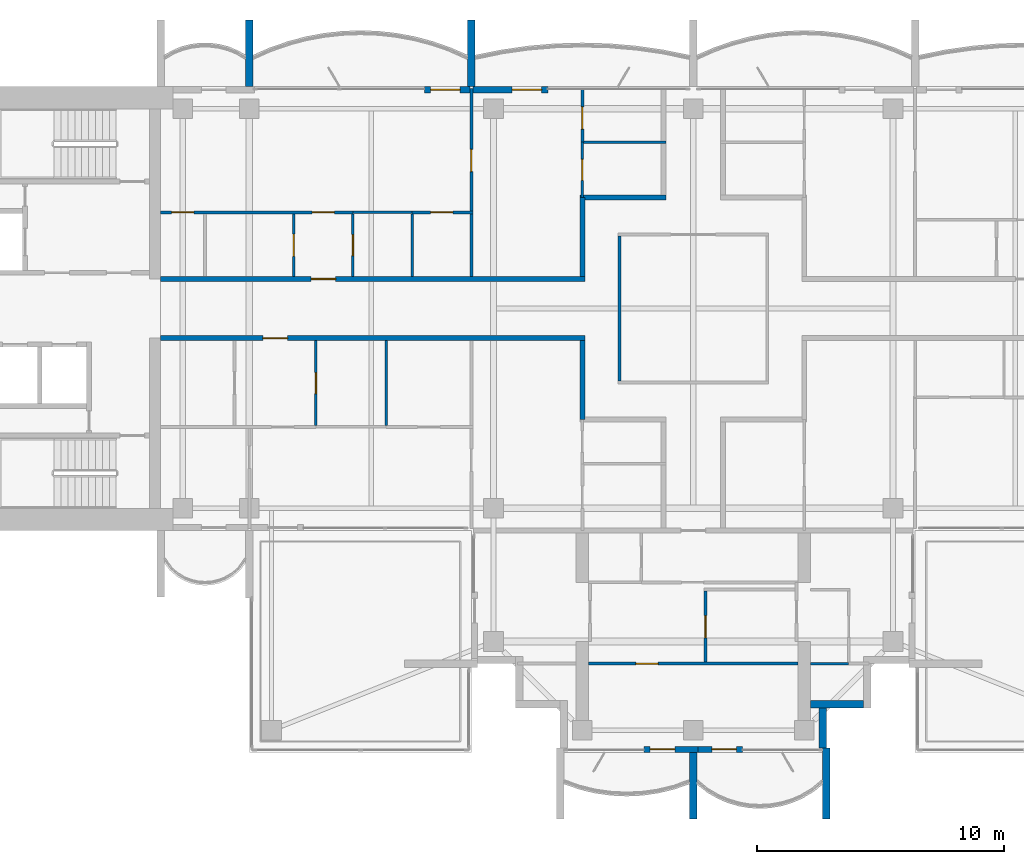
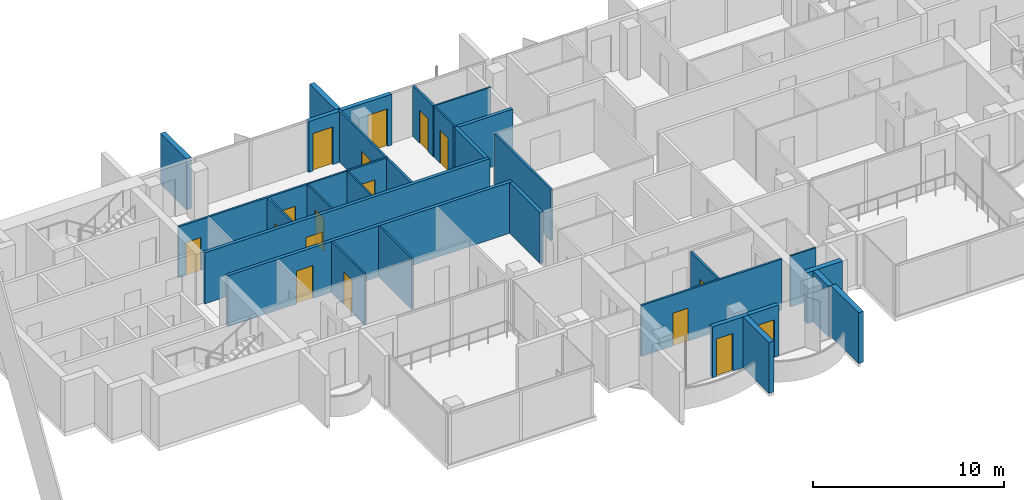
# One storey, part 8 of 16: 31 walls, 17 doors, 17 openings.
"""IFC4 building model written with IfcOpenShell, lengths in metres."""

import ifcopenshell
import ifcopenshell.guid

model = None  # the IFC model being written
_history = None  # IfcOwnerHistory: only IFC2X3 demands one
_inside = {}  # id of a spatial element -> (the spatial element, [elements in it])
_under = {}  # id of a project, library or spatial element -> (it, [spatial elements below it])
_declared = {}  # id of a project -> (the project, [libraries it declares])
_typed = {}  # id of a type object -> (the type object, [elements of that type])
_made_of = {}  # id of a material, layer set ... -> (it, [elements and type objects made of it])


def new_model(schema):
    """Start an empty IFC model of exactly this schema.

    Asked for "IFC4X3", IfcOpenShell would pick the latest addendum, in which some entities
    have other attributes; the version numbers below select the first issue.
    IFC2X3 requires an IfcOwnerHistory on every rooted entity: one is made here for all.
    """
    global model, _history
    if schema == "IFC4X3":
        model = ifcopenshell.file(schema_version=(4, 3, 0, 0))
    else:
        model = ifcopenshell.file(schema=schema)
    _inside.clear()
    _under.clear()
    _declared.clear()
    _typed.clear()
    _made_of.clear()
    _history = None
    if model.schema == "IFC2X3":
        org = make("IfcOrganization", Name="unknown")
        user = make(
            "IfcPersonAndOrganization",
            ThePerson=make("IfcPerson", FamilyName="unknown"),
            TheOrganization=org,
        )
        app = make(
            "IfcApplication",
            ApplicationDeveloper=org,
            Version="unknown",
            ApplicationFullName="unknown",
            ApplicationIdentifier="unknown",
        )
        _history = make(
            "IfcOwnerHistory",
            OwningUser=user,
            OwningApplication=app,
            ChangeAction="ADDED",
            CreationDate=0,
        )
    return model


def make(cls, **values):
    """One entity of the class cls with the attributes given. An attribute that is None is left unset."""
    return model.create_entity(
        cls, **{name: value for name, value in values.items() if value is not None}
    )


def rooted(cls, **values):
    """An entity with a GlobalId (a new one), such as an element, a storey or a relation."""
    return make(cls, GlobalId=ifcopenshell.guid.new(), OwnerHistory=_history, **values)


def si_unit(unit_type, name, prefix=None):
    """IfcSIUnit, for example si_unit("LENGTHUNIT", "METRE", prefix="MILLI")."""
    return make("IfcSIUnit", UnitType=unit_type, Prefix=prefix, Name=name)


def assignment(units):
    """IfcUnitAssignment: the units of a project."""
    return None if units is None else make("IfcUnitAssignment", Units=units)


def point(xyz):
    """IfcCartesianPoint."""
    return None if xyz is None else make("IfcCartesianPoint", Coordinates=xyz)


def direction(xyz):
    """IfcDirection."""
    return None if xyz is None else make("IfcDirection", DirectionRatios=xyz)


def frame(location, z_axis=None, x_axis=None):
    """IfcAxis2Placement3D, a coordinate frame: its origin and axes. An axis left out is left unset."""
    return make(
        "IfcAxis2Placement3D",
        Location=point(location),
        Axis=direction(z_axis),
        RefDirection=direction(x_axis),
    )


def frame_2d(location, x_axis=None):
    """IfcAxis2Placement2D, a coordinate frame in the plane: its origin and x axis."""
    return make(
        "IfcAxis2Placement2D", Location=point(location), RefDirection=direction(x_axis)
    )


def origin():
    """The frame at (0, 0, 0) with its axes left unset."""
    return frame((0.0, 0.0, 0.0))


def place(relative_to, where):
    """IfcLocalPlacement: puts the frame where relative to a parent placement (None: the world)."""
    return make(
        "IfcLocalPlacement", PlacementRelTo=relative_to, RelativePlacement=where
    )


def context(
    kind, dimensions, precision=None, world=None, true_north=None, identifier=None
):
    """IfcGeometricRepresentationContext, for example the 3D "Model" context."""
    return make(
        "IfcGeometricRepresentationContext",
        ContextIdentifier=identifier,
        ContextType=kind,
        CoordinateSpaceDimension=dimensions,
        Precision=precision,
        WorldCoordinateSystem=world,
        TrueNorth=true_north,
    )


def subcontext(parent, identifier, kind, view, scale=None):
    """IfcGeometricRepresentationSubContext, for example "Body" below "Model"."""
    return make(
        "IfcGeometricRepresentationSubContext",
        ContextIdentifier=identifier,
        ContextType=kind,
        ParentContext=parent,
        TargetScale=scale,
        TargetView=view,
    )


def project(units=None, contexts=None):
    """IfcProject with its units and contexts."""
    return rooted(
        "IfcProject",
        Name="project",
        RepresentationContexts=contexts,
        UnitsInContext=assignment(units),
    )


def spatial(cls, under=None, at=None, **own):
    """A site, building, storey or space (cls), placed at a placement, below another one or the project."""
    s = rooted(cls, ObjectPlacement=at, **own)
    if under is not None:
        _under.setdefault(under.id(), (under, []))[1].append(s)
    return s


def profile(cls, at=None, kind="AREA", **sizes):
    """A parametric profile (cls). Its sizes go by their IFC names, for example OverallWidth=200.0."""
    return make(cls, ProfileType=kind, Position=at, **sizes)


def rectangle(**sizes):
    """IfcRectangleProfileDef."""
    return profile("IfcRectangleProfileDef", **sizes)


def extrude(swept, where, along, depth):
    """IfcExtrudedAreaSolid: the profile swept, set in the frame where, extruded along a direction by depth."""
    return make(
        "IfcExtrudedAreaSolid",
        SweptArea=swept,
        Position=where,
        ExtrudedDirection=direction(along),
        Depth=depth,
    )


def shape(context_of_items, identifier, shape_type, items):
    """IfcShapeRepresentation: the items that make up one representation, for example the "Body"."""
    return make(
        "IfcShapeRepresentation",
        ContextOfItems=context_of_items,
        RepresentationIdentifier=identifier,
        RepresentationType=shape_type,
        Items=items,
    )


def material(Name=None, Category=None):
    """IfcMaterial."""
    return make("IfcMaterial", Name=Name, Category=Category)


def layer(
    of_material, thickness, ventilated=None, Name=None, Category=None, Priority=None
):
    """IfcMaterialLayer: one layer of a wall or slab, of a material (None: an air gap)."""
    return make(
        "IfcMaterialLayer",
        Material=of_material,
        LayerThickness=thickness,
        IsVentilated=ventilated,
        Name=Name,
        Category=Category,
        Priority=Priority,
    )


def layer_set(layers, Name=None):
    """IfcMaterialLayerSet."""
    return make("IfcMaterialLayerSet", MaterialLayers=layers, LayerSetName=Name)


def made_of(thing, what):
    """Note that an element or type object is made of a material, layer set ...; save() writes the relation."""
    if what is not None:
        _made_of.setdefault(what.id(), (what, []))[1].append(thing)
    return thing


def type_object(cls, material=None, **own):
    """A type object (cls), such as IfcWallType, which elements share."""
    return made_of(rooted(cls, **own), material)


def element(
    cls,
    number,
    at=None,
    inside=None,
    cuts=None,
    type_object=None,
    material=None,
    context=None,
    identifier="Body",
    shape_type=None,
    held_by="IfcProductDefinitionShape",
    body=None,
    shapes=None,
    **own,
):
    """One element of the class cls, such as IfcWall. Its Tag is "e" and its number.

    at: its placement. inside: the storey or other place that contains it. cuts: it is an
    opening in that element (IfcRelVoidsElement). A single representation is given by context,
    identifier, shape_type and body (its items); several are given by shapes. held_by: the class
    of the entity that holds the representations. save() writes the other relations.
    """
    e = rooted(cls, Tag="e%d" % number, ObjectPlacement=at, **own)
    if body is not None:
        shapes = [shape(context, identifier, shape_type, body)]
    if shapes is not None:
        e.Representation = make(held_by, Representations=shapes)
    if inside is not None:
        _inside.setdefault(inside.id(), (inside, []))[1].append(e)
    if cuts is not None:
        rooted(
            "IfcRelVoidsElement", RelatingBuildingElement=cuts, RelatedOpeningElement=e
        )
    if type_object is not None:
        _typed.setdefault(type_object.id(), (type_object, []))[1].append(e)
    return made_of(e, material)


def fill(opening, filler):
    """IfcRelFillsElement: the door or window that sits in an opening."""
    return rooted(
        "IfcRelFillsElement",
        RelatingOpeningElement=opening,
        RelatedBuildingElement=filler,
    )


def aggregate(whole, parts):
    """IfcRelAggregates: a whole, such as a stair, and the parts it consists of."""
    return rooted("IfcRelAggregates", RelatingObject=whole, RelatedObjects=parts)


def save(model, path):
    """Write the relations noted so far, then the file.

    IfcRelAggregates (storeys below a building ...), IfcRelContainedInSpatialStructure (elements
    in a storey), IfcRelDefinesByType, IfcRelAssociatesMaterial and IfcRelDeclares: one each for
    every whole, place, type object, material and project.
    """
    for whole, parts in _under.values():
        aggregate(whole, parts)
    for where, things in _inside.values():
        rooted(
            "IfcRelContainedInSpatialStructure",
            RelatedElements=things,
            RelatingStructure=where,
        )
    for kind, things in _typed.values():
        rooted("IfcRelDefinesByType", RelatedObjects=things, RelatingType=kind)
    for what, things in _made_of.values():
        rooted("IfcRelAssociatesMaterial", RelatedObjects=things, RelatingMaterial=what)
    for by, libraries in _declared.values():
        rooted("IfcRelDeclares", RelatingContext=by, RelatedDefinitions=libraries)
    model.write(path)


model = new_model("IFC4")

# Units and contexts
model_context = context("Model", 3, precision=1e-05, world=origin(), true_north=direction((0.0, 1.0)))
body_context = subcontext(model_context, "Body", "Model", "MODEL_VIEW")
ifc_project = project(units=[si_unit("LENGTHUNIT", "METRE"), si_unit("AREAUNIT", "SQUARE_METRE"), si_unit("VOLUMEUNIT", "CUBIC_METRE"), si_unit("PLANEANGLEUNIT", "RADIAN"), si_unit("MASSUNIT", "GRAM", prefix="KILO")], contexts=[model_context])

# Site, building, storey
site_placement = place(None, origin())
site = spatial("IfcSite", under=ifc_project, at=site_placement, CompositionType="ELEMENT")
building_placement = place(site_placement, origin())
building = spatial("IfcBuilding", under=site, at=building_placement, Name="Perihelion Cross Residences", CompositionType="ELEMENT")
storey_placement = place(building_placement, frame((0.0, 0.0, 253.5)))
storey = spatial("IfcBuildingStorey", under=building, at=storey_placement, Name="L64", CompositionType="ELEMENT", Elevation=253.5)

# Wall, opening, door
ifc_material_1 = material(Name="Plasterboard partition")
ifc_layer_1 = layer(ifc_material_1, 0.199951171875)
ifc_layer_set_1 = layer_set([ifc_layer_1], Name="Apartment separation wall 200")
wall_type_1 = type_object("IfcWallType", Name="Apartment separation wall 200", PredefinedType="PARTITIONING", material=ifc_layer_set_1)
wall_1_placement = place(storey_placement, frame((-21.60009765625, 1.199951171875, 0.0), z_axis=(0.0, 0.0, 1.0), x_axis=(1.0, 0.0, 0.0)))
wall_1 = element("IfcWall", 1, at=wall_1_placement, inside=storey, type_object=wall_type_1, Name="Partition L64 W013", PredefinedType="PARTITIONING", context=body_context, shape_type="SweptSolid", body=[
    extrude(rectangle(XDim=17.2001953125, YDim=0.199951171875, at=frame_2d((8.60009765625, 0.0))), origin(), (0.0, 0.0, 1.0), 3.25),
])
opening_1_placement = place(wall_1_placement, frame((6.10009765625, 0.0, 0.0)))
opening_1 = element("IfcOpeningElement", 2, at=opening_1_placement, cuts=wall_1, Name="Opening L64.A42", PredefinedType="OPENING", context=body_context, shape_type="SweptSolid", body=[
    extrude(rectangle(XDim=1.0, YDim=2.10009765625, at=frame_2d((0.5, 1.050048828125))), frame((0.0, 0.10986328125, 0.0), z_axis=(0.0, -1.0, 0.0), x_axis=(1.0, 0.0, 0.0)), (0.0, 0.0, 1.0), 0.219970703125),
])
ifc_material_2 = material(Name="Timber door leaf", Category="wood")
door_type_1 = type_object("IfcDoorType", Name="Flat entrance door 1000 x 2100", OperationType="SINGLE_SWING_LEFT", PredefinedType="DOOR", material=ifc_material_2)
door_1_placement = place(opening_1_placement, origin())
door_1 = element("IfcDoor", 3, at=door_1_placement, inside=storey, type_object=door_type_1, Name="Door L64.A42", OperationType="SINGLE_SWING_RIGHT", OverallHeight=2.10009765625, OverallWidth=1.0, PredefinedType="DOOR", context=body_context, shape_type="SweptSolid", body=[
    extrude(rectangle(XDim=1.0, YDim=2.10009765625, at=frame_2d((0.5, 1.050048828125))), frame((0.0, 0.02490234375, 0.0), z_axis=(0.0, -1.0, 0.0), x_axis=(1.0, 0.0, 0.0)), (0.0, 0.0, 1.0), 0.050048828125),
])
fill(opening_1, door_1)

# Walls
wall_2_placement = place(storey_placement, frame((-4.5, 1.300048828125, 0.0), z_axis=(0.0, 0.0, 1.0), x_axis=(0.0, 1.0, 0.0)))
element("IfcWall", 4, at=wall_2_placement, inside=storey, type_object=wall_type_1, Name="Partition L64 W014", PredefinedType="PARTITIONING", context=body_context, shape_type="SweptSolid", body=[
    extrude(rectangle(XDim=3.199951171875, YDim=0.199951171875, at=frame_2d((1.60009765625, 0.0))), origin(), (0.0, 0.0, 1.0), 3.25),
])
wall_3_placement = place(storey_placement, frame((-4.60009765625, 4.5, 0.0), z_axis=(0.0, 0.0, 1.0), x_axis=(1.0, 0.0, 0.0)))
element("IfcWall", 5, at=wall_3_placement, inside=storey, type_object=wall_type_1, Name="Partition L64 W015", PredefinedType="PARTITIONING", context=body_context, shape_type="SweptSolid", body=[
    extrude(rectangle(XDim=3.5, YDim=0.199951171875, at=frame_2d((1.75, 0.0))), origin(), (0.0, 0.0, 1.0), 3.25),
])

# Wall, opening, door
wall_4_placement = place(storey_placement, frame((-4.39990234375, -1.199951171875, 0.0), z_axis=(0.0, 0.0, 1.0), x_axis=(-1.0, 0.0, 0.0)))
wall_4 = element("IfcWall", 6, at=wall_4_placement, inside=storey, type_object=wall_type_1, Name="Partition L64 W017", PredefinedType="PARTITIONING", context=body_context, shape_type="SweptSolid", body=[
    extrude(rectangle(XDim=17.2001953125, YDim=0.199951171875, at=frame_2d((8.60009765625, 0.0))), origin(), (0.0, 0.0, 1.0), 3.25),
])
opening_2_placement = place(wall_4_placement, frame((12.050048828125, 0.0, 0.0)))
opening_2 = element("IfcOpeningElement", 7, at=opening_2_placement, cuts=wall_4, Name="Opening L64.A43", PredefinedType="OPENING", context=body_context, shape_type="SweptSolid", body=[
    extrude(rectangle(XDim=1.0, YDim=2.10009765625, at=frame_2d((0.5, 1.050048828125))), frame((0.0, 0.10986328125, 0.0), z_axis=(0.0, -1.0, 0.0), x_axis=(1.0, 0.0, 0.0)), (0.0, 0.0, 1.0), 0.219970703125),
])
door_2_placement = place(opening_2_placement, origin())
door_2 = element("IfcDoor", 8, at=door_2_placement, inside=storey, type_object=door_type_1, Name="Door L64.A43", OperationType="SINGLE_SWING_RIGHT", OverallHeight=2.10009765625, OverallWidth=1.0, PredefinedType="DOOR", context=body_context, shape_type="SweptSolid", body=[
    extrude(rectangle(XDim=1.0, YDim=2.10009765625, at=frame_2d((0.5, 1.050048828125))), frame((0.0, 0.02490234375, 0.0), z_axis=(0.0, -1.0, 0.0), x_axis=(1.0, 0.0, 0.0)), (0.0, 0.0, 1.0), 0.050048828125),
])
fill(opening_2, door_2)

# Wall
wall_5_placement = place(storey_placement, frame((-4.5, -4.5, 0.0), z_axis=(0.0, 0.0, 1.0), x_axis=(0.0, 1.0, 0.0)))
element("IfcWall", 9, at=wall_5_placement, inside=storey, type_object=wall_type_1, Name="Partition L64 W018", PredefinedType="PARTITIONING", context=body_context, shape_type="SweptSolid", body=[
    extrude(rectangle(XDim=3.199951171875, YDim=0.199951171875, at=frame_2d((1.60009765625, 0.0))), origin(), (0.0, 0.0, 1.0), 3.25),
])

# Wall, opening, door
ifc_material_3 = material(Name="Concrete C30/37, bronze-clad", Category="concrete")
ifc_layer_2 = layer(ifc_material_3, 0.25)
ifc_layer_set_2 = layer_set([ifc_layer_2], Name="Bronze-clad pier wall 250")
wall_type_2 = type_object("IfcWallType", Name="Bronze-clad pier wall 250", PredefinedType="SOLIDWALL", material=ifc_layer_set_2)
wall_6_placement = place(storey_placement, frame((-5.89990234375, 8.875, 0.0), z_axis=(0.0, 0.0, 1.0), x_axis=(-1.0, 0.0, 0.0)))
wall_6 = element("IfcWall", 10, at=wall_6_placement, inside=storey, type_object=wall_type_2, Name="Wall FW1 L64 north side east bay 2 pier", PredefinedType="SOLIDWALL", context=body_context, shape_type="SweptSolid", body=[
    extrude(rectangle(XDim=3.0400390625, YDim=0.25, at=frame_2d((1.52001953125, 0.0))), origin(), (0.0, 0.0, 1.0), 3.25),
])
opening_3_placement = place(wall_6_placement, frame((0.25, 0.0, 0.0)))
opening_3 = element("IfcOpeningElement", 11, at=opening_3_placement, cuts=wall_6, Name="Opening L64.E04", PredefinedType="OPENING", context=body_context, shape_type="SweptSolid", body=[
    extrude(rectangle(XDim=1.199951171875, YDim=2.39990234375, at=frame_2d((0.60009765625, 1.199951171875))), frame((0.0, 0.135009765625, 0.0), z_axis=(0.0, -1.0, 0.0), x_axis=(1.0, 0.0, 0.0)), (0.0, 0.0, 1.0), 0.27001953125),
])
ifc_material_4 = material(Name="Bronze anodised aluminium, glazed", Category="aluminium")
door_type_2 = type_object("IfcDoorType", Name="Balcony door 1200 x 2400", OperationType="NOTDEFINED", PredefinedType="DOOR", material=ifc_material_4)
door_3_placement = place(opening_3_placement, origin())
door_3 = element("IfcDoor", 12, at=door_3_placement, inside=storey, type_object=door_type_2, Name="Door L64.E04 north side east bay 2", OperationType="SINGLE_SWING_RIGHT", OverallHeight=2.39990234375, OverallWidth=1.199951171875, PredefinedType="DOOR", context=body_context, shape_type="SweptSolid", body=[
    extrude(rectangle(XDim=1.199951171875, YDim=2.39990234375, at=frame_2d((0.60009765625, 1.199951171875))), frame((0.0, 0.02490234375, 0.0), z_axis=(0.0, -1.0, 0.0), x_axis=(1.0, 0.0, 0.0)), (0.0, 0.0, 1.0), 0.050048828125),
])
fill(opening_3, door_3)

wall_7_placement = place(storey_placement, frame((-9.06005859375, 8.875, 0.0), z_axis=(0.0, 0.0, 1.0), x_axis=(-1.0, 0.0, 0.0)))
wall_7 = element("IfcWall", 13, at=wall_7_placement, inside=storey, type_object=wall_type_2, Name="Wall FW1 L64 west side north bay 1 pier", PredefinedType="SOLIDWALL", context=body_context, shape_type="SweptSolid", body=[
    extrude(rectangle(XDim=1.83984375, YDim=0.25, at=frame_2d((0.919921875, 0.0))), origin(), (0.0, 0.0, 1.0), 3.25),
])
opening_4_placement = place(wall_7_placement, frame((0.389892578125, 0.0, 0.0)))
opening_4 = element("IfcOpeningElement", 14, at=opening_4_placement, cuts=wall_7, Name="Opening L64.E05", PredefinedType="OPENING", context=body_context, shape_type="SweptSolid", body=[
    extrude(rectangle(XDim=1.199951171875, YDim=2.39990234375, at=frame_2d((0.60009765625, 1.199951171875))), frame((0.0, 0.135009765625, 0.0), z_axis=(0.0, -1.0, 0.0), x_axis=(1.0, 0.0, 0.0)), (0.0, 0.0, 1.0), 0.27001953125),
])
door_4_placement = place(opening_4_placement, origin())
door_4 = element("IfcDoor", 15, at=door_4_placement, inside=storey, type_object=door_type_2, Name="Door L64.E05 west side north bay 1", OperationType="SINGLE_SWING_LEFT", OverallHeight=2.39990234375, OverallWidth=1.199951171875, PredefinedType="DOOR", context=body_context, shape_type="SweptSolid", body=[
    extrude(rectangle(XDim=1.199951171875, YDim=2.39990234375, at=frame_2d((0.60009765625, 1.199951171875))), frame((0.0, 0.02490234375, 0.0), z_axis=(0.0, -1.0, 0.0), x_axis=(1.0, 0.0, 0.0)), (0.0, 0.0, 1.0), 0.050048828125),
])
fill(opening_4, door_4)

wall_8_placement = place(storey_placement, frame((-2.0, -17.875, 0.0), z_axis=(0.0, 0.0, 1.0), x_axis=(1.0, 0.0, 0.0)))
wall_8 = element("IfcWall", 16, at=wall_8_placement, inside=storey, type_object=wall_type_2, Name="Wall FW1 L64 south tip south bay 1 pier", PredefinedType="SOLIDWALL", context=body_context, shape_type="SweptSolid", body=[
    extrude(rectangle(XDim=2.199951171875, YDim=0.25, at=frame_2d((1.10009765625, 0.0))), origin(), (0.0, 0.0, 1.0), 3.25),
])
opening_5_placement = place(wall_8_placement, frame((0.25, 0.0, 0.0)))
opening_5 = element("IfcOpeningElement", 17, at=opening_5_placement, cuts=wall_8, Name="Opening L64.E10", PredefinedType="OPENING", context=body_context, shape_type="SweptSolid", body=[
    extrude(rectangle(XDim=1.0, YDim=2.39990234375, at=frame_2d((0.5, 1.199951171875))), frame((0.0, 0.135009765625, 0.0), z_axis=(0.0, -1.0, 0.0), x_axis=(1.0, 0.0, 0.0)), (0.0, 0.0, 1.0), 0.27001953125),
])
ifc_material_5 = material(Name="Bronze anodised aluminium, glazed", Category="aluminium")
door_type_3 = type_object("IfcDoorType", Name="Balcony door 1000 x 2400", OperationType="NOTDEFINED", PredefinedType="DOOR", material=ifc_material_5)
door_5_placement = place(opening_5_placement, origin())
door_5 = element("IfcDoor", 18, at=door_5_placement, inside=storey, type_object=door_type_3, Name="Door L64.E10 south tip south bay 1", OperationType="SINGLE_SWING_RIGHT", OverallHeight=2.39990234375, OverallWidth=1.0, PredefinedType="DOOR", context=body_context, shape_type="SweptSolid", body=[
    extrude(rectangle(XDim=1.0, YDim=2.39990234375, at=frame_2d((0.5, 1.199951171875))), frame((0.0, 0.02490234375, 0.0), z_axis=(0.0, -1.0, 0.0), x_axis=(1.0, 0.0, 0.0)), (0.0, 0.0, 1.0), 0.050048828125),
])
fill(opening_5, door_5)

wall_9_placement = place(storey_placement, frame((0.199951171875, -17.875, 0.0), z_axis=(0.0, 0.0, 1.0), x_axis=(1.0, 0.0, 0.0)))
wall_9 = element("IfcWall", 19, at=wall_9_placement, inside=storey, type_object=wall_type_2, Name="Wall FW1 L64 south tip south bay 2 pier", PredefinedType="SOLIDWALL", context=body_context, shape_type="SweptSolid", body=[
    extrude(rectangle(XDim=1.800048828125, YDim=0.25, at=frame_2d((0.89990234375, 0.0))), origin(), (0.0, 0.0, 1.0), 3.25),
])
opening_6_placement = place(wall_9_placement, frame((0.550048828125, 0.0, 0.0)))
opening_6 = element("IfcOpeningElement", 20, at=opening_6_placement, cuts=wall_9, Name="Opening L64.E11", PredefinedType="OPENING", context=body_context, shape_type="SweptSolid", body=[
    extrude(rectangle(XDim=1.0, YDim=2.39990234375, at=frame_2d((0.5, 1.199951171875))), frame((0.0, 0.135009765625, 0.0), z_axis=(0.0, -1.0, 0.0), x_axis=(1.0, 0.0, 0.0)), (0.0, 0.0, 1.0), 0.27001953125),
])
door_6_placement = place(opening_6_placement, origin())
door_6 = element("IfcDoor", 21, at=door_6_placement, inside=storey, type_object=door_type_3, Name="Door L64.E11 south tip south bay 2", OperationType="SINGLE_SWING_LEFT", OverallHeight=2.39990234375, OverallWidth=1.0, PredefinedType="DOOR", context=body_context, shape_type="SweptSolid", body=[
    extrude(rectangle(XDim=1.0, YDim=2.39990234375, at=frame_2d((0.5, 1.199951171875))), frame((0.0, 0.02490234375, 0.0), z_axis=(0.0, -1.0, 0.0), x_axis=(1.0, 0.0, 0.0)), (0.0, 0.0, 1.0), 0.050048828125),
])
fill(opening_6, door_6)

# Walls
ifc_material_6 = material(Name="Concrete C30/37, bronze-clad", Category="concrete")
ifc_layer_3 = layer(ifc_material_6, 0.300048828125)
ifc_layer_set_3 = layer_set([ifc_layer_3], Name="Bronze-clad serration wall 300")
wall_type_3 = type_object("IfcWallType", Name="Bronze-clad serration wall 300", PredefinedType="SOLIDWALL", material=ifc_layer_set_3)
wall_10_placement = place(storey_placement, frame((5.25, -17.820068359375, 0.0), z_axis=(0.0, 0.0, 1.0), x_axis=(0.0, 1.0, 0.0)))
element("IfcWall", 22, at=wall_10_placement, inside=storey, type_object=wall_type_3, Name="Wall SR1 L64 south corner south-east 1", PredefinedType="SOLIDWALL", context=body_context, shape_type="SweptSolid", body=[
    extrude(rectangle(XDim=1.6201171875, YDim=0.300048828125, at=frame_2d((0.81005859375, 0.0))), origin(), (0.0, 0.0, 1.0), 3.25),
])
wall_11_placement = place(storey_placement, frame((4.75, -16.050048828125, 0.0), z_axis=(0.0, 0.0, 1.0), x_axis=(1.0, 0.0, 0.0)))
element("IfcWall", 23, at=wall_11_placement, inside=storey, type_object=wall_type_3, Name="Wall SR1 L64 south corner south-east 2", PredefinedType="SOLIDWALL", context=body_context, shape_type="SweptSolid", body=[
    extrude(rectangle(XDim=2.14990234375, YDim=0.300048828125, at=frame_2d((1.074951171875, 0.0))), origin(), (0.0, 0.0, 1.0), 3.25),
])
ifc_material_7 = material(Name="Plasterboard partition")
ifc_layer_4 = layer(ifc_material_7, 0.1201171875)
ifc_layer_set_4 = layer_set([ifc_layer_4], Name="Partition wall 120")
wall_type_4 = type_object("IfcWallType", Name="Partition wall 120", PredefinedType="PARTITIONING", material=ifc_layer_set_4)
wall_12_placement = place(storey_placement, frame((-3.0, 2.93994140625, 0.0), z_axis=(0.0, 0.0, 1.0), x_axis=(0.0, -1.0, 0.0)))
element("IfcWall", 24, at=wall_12_placement, inside=storey, type_object=wall_type_4, Name="Partition L64 W004", PredefinedType="PARTITIONING", context=body_context, shape_type="SweptSolid", body=[
    extrude(rectangle(XDim=5.8798828125, YDim=0.1201171875, at=frame_2d((2.93994140625, 0.0))), origin(), (0.0, 0.0, 1.0), 3.25),
])

# Wall, opening, door
wall_13_placement = place(storey_placement, frame((-11.39990234375, 3.89990234375, 0.0), z_axis=(0.0, 0.0, 1.0), x_axis=(1.0, 0.0, 0.0)))
wall_13 = element("IfcWall", 25, at=wall_13_placement, inside=storey, type_object=wall_type_4, Name="Partition L64 W044", PredefinedType="PARTITIONING", context=body_context, shape_type="SweptSolid", body=[
    extrude(rectangle(XDim=2.4599609375, YDim=0.1201171875, at=frame_2d((1.22998046875, 0.0))), origin(), (0.0, 0.0, 1.0), 3.25),
])
opening_7_placement = place(wall_13_placement, frame((0.75, 0.0, 0.0)))
opening_7 = element("IfcOpeningElement", 26, at=opening_7_placement, cuts=wall_13, Name="Opening L64.A25", PredefinedType="OPENING", context=body_context, shape_type="SweptSolid", body=[
    extrude(rectangle(XDim=0.89990234375, YDim=2.10009765625, at=frame_2d((0.449951171875, 1.050048828125))), frame((0.0, 0.070068359375, 0.0), z_axis=(0.0, -1.0, 0.0), x_axis=(1.0, 0.0, 0.0)), (0.0, 0.0, 1.0), 0.14013671875),
])
ifc_material_8 = material(Name="Timber door leaf", Category="wood")
door_type_4 = type_object("IfcDoorType", Name="Interior room door 900 x 2100", OperationType="SINGLE_SWING_LEFT", PredefinedType="DOOR", material=ifc_material_8)
door_7_placement = place(opening_7_placement, origin())
door_7 = element("IfcDoor", 27, at=door_7_placement, inside=storey, type_object=door_type_4, Name="Door L64.A25", OperationType="SINGLE_SWING_RIGHT", OverallHeight=2.10009765625, OverallWidth=0.89990234375, PredefinedType="DOOR", context=body_context, shape_type="SweptSolid", body=[
    extrude(rectangle(XDim=0.89990234375, YDim=2.10009765625, at=frame_2d((0.449951171875, 1.050048828125))), frame((0.0, 0.02490234375, 0.0), z_axis=(0.0, -1.0, 0.0), x_axis=(1.0, 0.0, 0.0)), (0.0, 0.0, 1.0), 0.050048828125),
])
fill(opening_7, door_7)

wall_14_placement = place(storey_placement, frame((-9.0, 8.919921875, 0.0), z_axis=(0.0, 0.0, 1.0), x_axis=(0.0, -1.0, 0.0)))
wall_14 = element("IfcWall", 28, at=wall_14_placement, inside=storey, type_object=wall_type_4, Name="Partition L64 W045", PredefinedType="PARTITIONING", context=body_context, shape_type="SweptSolid", body=[
    extrude(rectangle(XDim=7.619873046875, YDim=0.1201171875, at=frame_2d((3.81005859375, 0.0))), origin(), (0.0, 0.0, 1.0), 3.25),
])
opening_8_placement = place(wall_14_placement, frame((2.469970703125, 0.0, 0.0)))
opening_8 = element("IfcOpeningElement", 29, at=opening_8_placement, cuts=wall_14, Name="Opening L64.A20", PredefinedType="OPENING", context=body_context, shape_type="SweptSolid", body=[
    extrude(rectangle(XDim=0.89990234375, YDim=2.10009765625, at=frame_2d((0.449951171875, 1.050048828125))), frame((0.0, 0.070068359375, 0.0), z_axis=(0.0, -1.0, 0.0), x_axis=(1.0, 0.0, 0.0)), (0.0, 0.0, 1.0), 0.14013671875),
])
door_8_placement = place(opening_8_placement, origin())
door_8 = element("IfcDoor", 30, at=door_8_placement, inside=storey, type_object=door_type_4, Name="Door L64.A20", OperationType="SINGLE_SWING_RIGHT", OverallHeight=2.10009765625, OverallWidth=0.89990234375, PredefinedType="DOOR", context=body_context, shape_type="SweptSolid", body=[
    extrude(rectangle(XDim=0.89990234375, YDim=2.10009765625, at=frame_2d((0.449951171875, 1.050048828125))), frame((0.0, 0.02490234375, 0.0), z_axis=(0.0, -1.0, 0.0), x_axis=(1.0, 0.0, 0.0)), (0.0, 0.0, 1.0), 0.050048828125),
])
fill(opening_8, door_8)

wall_15_placement = place(storey_placement, frame((-16.199951171875, 1.300048828125, 0.0), z_axis=(0.0, 0.0, 1.0), x_axis=(0.0, 1.0, 0.0)))
wall_15 = element("IfcWall", 31, at=wall_15_placement, inside=storey, type_object=wall_type_4, Name="Partition L64 W048", PredefinedType="PARTITIONING", context=body_context, shape_type="SweptSolid", body=[
    extrude(rectangle(XDim=2.5400390625, YDim=0.1201171875, at=frame_2d((1.27001953125, 0.0))), origin(), (0.0, 0.0, 1.0), 3.25),
])
opening_9_placement = place(wall_15_placement, frame((0.820068359375, 0.0, 0.0)))
opening_9 = element("IfcOpeningElement", 32, at=opening_9_placement, cuts=wall_15, Name="Opening L64.A21", PredefinedType="OPENING", context=body_context, shape_type="SweptSolid", body=[
    extrude(rectangle(XDim=0.89990234375, YDim=2.10009765625, at=frame_2d((0.449951171875, 1.050048828125))), frame((0.0, 0.070068359375, 0.0), z_axis=(0.0, -1.0, 0.0), x_axis=(1.0, 0.0, 0.0)), (0.0, 0.0, 1.0), 0.14013671875),
])
door_9_placement = place(opening_9_placement, origin())
door_9 = element("IfcDoor", 33, at=door_9_placement, inside=storey, type_object=door_type_4, Name="Door L64.A21", OperationType="SINGLE_SWING_RIGHT", OverallHeight=2.10009765625, OverallWidth=0.89990234375, PredefinedType="DOOR", context=body_context, shape_type="SweptSolid", body=[
    extrude(rectangle(XDim=0.89990234375, YDim=2.10009765625, at=frame_2d((0.449951171875, 1.050048828125))), frame((0.0, 0.02490234375, 0.0), z_axis=(0.0, -1.0, 0.0), x_axis=(1.0, 0.0, 0.0)), (0.0, 0.0, 1.0), 0.050048828125),
])
fill(opening_9, door_9)

# Wall, openings, doors
wall_16_placement = place(storey_placement, frame((-21.60009765625, 3.89990234375, 0.0), z_axis=(0.0, 0.0, 1.0), x_axis=(1.0, 0.0, 0.0)))
wall_16 = element("IfcWall", 34, at=wall_16_placement, inside=storey, type_object=wall_type_4, Name="Partition L64 W049", PredefinedType="PARTITIONING", context=body_context, shape_type="SweptSolid", body=[
    extrude(rectangle(XDim=7.800048828125, YDim=0.1201171875, at=frame_2d((3.89990234375, 0.0))), origin(), (0.0, 0.0, 1.0), 3.25),
])
opening_10_placement = place(wall_16_placement, frame((0.449951171875, 0.0, 0.0)))
opening_10 = element("IfcOpeningElement", 35, at=opening_10_placement, cuts=wall_16, Name="Opening L64.A22", PredefinedType="OPENING", context=body_context, shape_type="SweptSolid", body=[
    extrude(rectangle(XDim=0.89990234375, YDim=2.10009765625, at=frame_2d((0.449951171875, 1.050048828125))), frame((0.0, 0.070068359375, 0.0), z_axis=(0.0, -1.0, 0.0), x_axis=(1.0, 0.0, 0.0)), (0.0, 0.0, 1.0), 0.14013671875),
])
opening_11_placement = place(wall_16_placement, frame((6.14990234375, 0.0, 0.0)))
opening_11 = element("IfcOpeningElement", 36, at=opening_11_placement, cuts=wall_16, Name="Opening L64.A24", PredefinedType="OPENING", context=body_context, shape_type="SweptSolid", body=[
    extrude(rectangle(XDim=0.89990234375, YDim=2.10009765625, at=frame_2d((0.449951171875, 1.050048828125))), frame((0.0, 0.070068359375, 0.0), z_axis=(0.0, -1.0, 0.0), x_axis=(1.0, 0.0, 0.0)), (0.0, 0.0, 1.0), 0.14013671875),
])
door_10_placement = place(opening_10_placement, origin())
door_10 = element("IfcDoor", 37, at=door_10_placement, inside=storey, type_object=door_type_4, Name="Door L64.A22", OperationType="SINGLE_SWING_LEFT", OverallHeight=2.10009765625, OverallWidth=0.89990234375, PredefinedType="DOOR", context=body_context, shape_type="SweptSolid", body=[
    extrude(rectangle(XDim=0.89990234375, YDim=2.10009765625, at=frame_2d((0.449951171875, 1.050048828125))), frame((0.0, 0.02490234375, 0.0), z_axis=(0.0, -1.0, 0.0), x_axis=(1.0, 0.0, 0.0)), (0.0, 0.0, 1.0), 0.050048828125),
])
fill(opening_10, door_10)
door_11_placement = place(opening_11_placement, origin())
door_11 = element("IfcDoor", 38, at=door_11_placement, inside=storey, type_object=door_type_4, Name="Door L64.A24", OperationType="SINGLE_SWING_LEFT", OverallHeight=2.10009765625, OverallWidth=0.89990234375, PredefinedType="DOOR", context=body_context, shape_type="SweptSolid", body=[
    extrude(rectangle(XDim=0.89990234375, YDim=2.10009765625, at=frame_2d((0.449951171875, 1.050048828125))), frame((0.0, 0.02490234375, 0.0), z_axis=(0.0, -1.0, 0.0), x_axis=(1.0, 0.0, 0.0)), (0.0, 0.0, 1.0), 0.050048828125),
])
fill(opening_11, door_11)

# Wall, opening, door
wall_17_placement = place(storey_placement, frame((-4.5, 8.919921875, 0.0), z_axis=(0.0, 0.0, 1.0), x_axis=(0.0, -1.0, 0.0)))
wall_17 = element("IfcWall", 39, at=wall_17_placement, inside=storey, type_object=wall_type_4, Name="Partition L64 W052", PredefinedType="PARTITIONING", context=body_context, shape_type="SweptSolid", body=[
    extrude(rectangle(XDim=2.169921875, YDim=0.1201171875, at=frame_2d((1.0849609375, 0.0))), origin(), (0.0, 0.0, 1.0), 3.25),
])
opening_12_placement = place(wall_17_placement, frame((0.7451171875, 0.0, 0.0)))
opening_12 = element("IfcOpeningElement", 40, at=opening_12_placement, cuts=wall_17, Name="Opening L64.A23", PredefinedType="OPENING", context=body_context, shape_type="SweptSolid", body=[
    extrude(rectangle(XDim=0.89990234375, YDim=2.10009765625, at=frame_2d((0.449951171875, 1.050048828125))), frame((0.0, 0.070068359375, 0.0), z_axis=(0.0, -1.0, 0.0), x_axis=(1.0, 0.0, 0.0)), (0.0, 0.0, 1.0), 0.14013671875),
])
door_12_placement = place(opening_12_placement, origin())
door_12 = element("IfcDoor", 41, at=door_12_placement, inside=storey, type_object=door_type_4, Name="Door L64.A23", OperationType="SINGLE_SWING_LEFT", OverallHeight=2.10009765625, OverallWidth=0.89990234375, PredefinedType="DOOR", context=body_context, shape_type="SweptSolid", body=[
    extrude(rectangle(XDim=0.89990234375, YDim=2.10009765625, at=frame_2d((0.449951171875, 1.050048828125))), frame((0.0, 0.02490234375, 0.0), z_axis=(0.0, -1.0, 0.0), x_axis=(1.0, 0.0, 0.0)), (0.0, 0.0, 1.0), 0.050048828125),
])
fill(opening_12, door_12)

wall_18_placement = place(storey_placement, frame((0.5, -11.4599609375, 0.0), z_axis=(0.0, 0.0, 1.0), x_axis=(0.0, -1.0, 0.0)))
wall_18 = element("IfcWall", 42, at=wall_18_placement, inside=storey, type_object=wall_type_4, Name="Partition L64 W069", PredefinedType="PARTITIONING", context=body_context, shape_type="SweptSolid", body=[
    extrude(rectangle(XDim=2.880126953125, YDim=0.1201171875, at=frame_2d((1.43994140625, 0.0))), origin(), (0.0, 0.0, 1.0), 3.25),
])
opening_13_placement = place(wall_18_placement, frame((0.989990234375, 0.0, 0.0)))
opening_13 = element("IfcOpeningElement", 43, at=opening_13_placement, cuts=wall_18, Name="Opening L64.A37", PredefinedType="OPENING", context=body_context, shape_type="SweptSolid", body=[
    extrude(rectangle(XDim=0.89990234375, YDim=2.10009765625, at=frame_2d((0.449951171875, 1.050048828125))), frame((0.0, 0.070068359375, 0.0), z_axis=(0.0, -1.0, 0.0), x_axis=(1.0, 0.0, 0.0)), (0.0, 0.0, 1.0), 0.14013671875),
])
door_13_placement = place(opening_13_placement, origin())
door_13 = element("IfcDoor", 44, at=door_13_placement, inside=storey, type_object=door_type_4, Name="Door L64.A37", OperationType="SINGLE_SWING_RIGHT", OverallHeight=2.10009765625, OverallWidth=0.89990234375, PredefinedType="DOOR", context=body_context, shape_type="SweptSolid", body=[
    extrude(rectangle(XDim=0.89990234375, YDim=2.10009765625, at=frame_2d((0.449951171875, 1.050048828125))), frame((0.0, 0.02490234375, 0.0), z_axis=(0.0, -1.0, 0.0), x_axis=(1.0, 0.0, 0.0)), (0.0, 0.0, 1.0), 0.050048828125),
])
fill(opening_13, door_13)

wall_19_placement = place(storey_placement, frame((4.25, -14.39990234375, 0.0), z_axis=(0.0, 0.0, 1.0), x_axis=(-1.0, 0.0, 0.0)))
wall_19 = element("IfcWall", 45, at=wall_19_placement, inside=storey, type_object=wall_type_4, Name="Partition L64 W070", PredefinedType="PARTITIONING", context=body_context, shape_type="SweptSolid", body=[
    extrude(rectangle(XDim=8.5, YDim=0.1201171875, at=frame_2d((4.25, 0.0))), origin(), (0.0, 0.0, 1.0), 3.25),
])
opening_14_placement = place(wall_19_placement, frame((5.675048828125, 0.0, 0.0)))
opening_14 = element("IfcOpeningElement", 46, at=opening_14_placement, cuts=wall_19, Name="Opening L64.A38", PredefinedType="OPENING", context=body_context, shape_type="SweptSolid", body=[
    extrude(rectangle(XDim=0.89990234375, YDim=2.10009765625, at=frame_2d((0.449951171875, 1.050048828125))), frame((0.0, 0.070068359375, 0.0), z_axis=(0.0, -1.0, 0.0), x_axis=(1.0, 0.0, 0.0)), (0.0, 0.0, 1.0), 0.14013671875),
])
door_14_placement = place(opening_14_placement, origin())
door_14 = element("IfcDoor", 47, at=door_14_placement, inside=storey, type_object=door_type_4, Name="Door L64.A38", OperationType="SINGLE_SWING_RIGHT", OverallHeight=2.10009765625, OverallWidth=0.89990234375, PredefinedType="DOOR", context=body_context, shape_type="SweptSolid", body=[
    extrude(rectangle(XDim=0.89990234375, YDim=2.10009765625, at=frame_2d((0.449951171875, 1.050048828125))), frame((0.0, 0.02490234375, 0.0), z_axis=(0.0, -1.0, 0.0), x_axis=(1.0, 0.0, 0.0)), (0.0, 0.0, 1.0), 0.050048828125),
])
fill(opening_14, door_14)

# Walls
ifc_material_9 = material(Name="Precast concrete C50/60", Category="concrete")
ifc_layer_5 = layer(ifc_material_9, 0.300048828125)
ifc_layer_set_5 = layer_set([ifc_layer_5], Name="Precast concrete C50/60 blade wall 300")
wall_type_5 = type_object("IfcWallType", Name="Precast concrete C50/60 blade wall 300", PredefinedType="SOLIDWALL", material=ifc_layer_set_5)
for number, where, z_axis, x_axis, name in (
    (48, (-18.0, 9.0, 0.0), (0.0, 0.0, 1.0), (0.0, 1.0, 0.0), "Wall BL1 L64 no. 2"),
    (49, (-9.0, 9.0, 0.0), (0.0, 0.0, 1.0), (0.0, 1.0, 0.0), "Wall BL1 L64 no. 7"),
    (50, (0.0, -18.0, 0.0), (0.0, 0.0, 1.0), (0.0, -1.0, 0.0), "Wall BL1 L64 no. 8"),
):
    element("IfcWall", number, at=place(storey_placement, frame(where, z_axis=z_axis, x_axis=x_axis)), inside=storey, type_object=wall_type_5, Name=name, PredefinedType="SOLIDWALL", context=body_context, shape_type="SweptSolid", body=[
        extrude(rectangle(XDim=2.699951171875, YDim=0.300048828125, at=frame_2d((1.35009765625, 0.0))), origin(), (0.0, 0.0, 1.0), 3.25),
    ])
wall_20_placement = place(storey_placement, frame((5.39990234375, -17.820068359375, 0.0), z_axis=(0.0, 0.0, 1.0), x_axis=(0.0, -1.0, 0.0)))
element("IfcWall", 51, at=wall_20_placement, inside=storey, type_object=wall_type_5, Name="Wall BL1 L64 no. 14", PredefinedType="SOLIDWALL", context=body_context, shape_type="SweptSolid", body=[
    extrude(rectangle(XDim=2.8798828125, YDim=0.300048828125, at=frame_2d((1.43994140625, 0.0))), origin(), (0.0, 0.0, 1.0), 3.25),
])
ifc_material_10 = material(Name="Plasterboard partition")
ifc_layer_6 = layer(ifc_material_10, 0.10009765625)
ifc_layer_set_6 = layer_set([ifc_layer_6], Name="Wet room wall 100")
wall_type_6 = type_object("IfcWallType", Name="Wet room wall 100", PredefinedType="PARTITIONING", material=ifc_layer_set_6)
wall_21_placement = place(storey_placement, frame((-11.39990234375, 1.300048828125, 0.0), z_axis=(0.0, 0.0, 1.0), x_axis=(0.0, 1.0, 0.0)))
element("IfcWall", 52, at=wall_21_placement, inside=storey, type_object=wall_type_6, Name="Partition L64 W043", PredefinedType="PARTITIONING", context=body_context, shape_type="SweptSolid", body=[
    extrude(rectangle(XDim=2.5400390625, YDim=0.10009765625, at=frame_2d((1.27001953125, 0.0))), origin(), (0.0, 0.0, 1.0), 3.25),
])

# Wall, opening, door
wall_22_placement = place(storey_placement, frame((-13.800048828125, 1.300048828125, 0.0), z_axis=(0.0, 0.0, 1.0), x_axis=(0.0, 1.0, 0.0)))
wall_22 = element("IfcWall", 53, at=wall_22_placement, inside=storey, type_object=wall_type_6, Name="Partition L64 W046", PredefinedType="PARTITIONING", context=body_context, shape_type="SweptSolid", body=[
    extrude(rectangle(XDim=2.5400390625, YDim=0.10009765625, at=frame_2d((1.27001953125, 0.0))), origin(), (0.0, 0.0, 1.0), 3.25),
])
opening_15_placement = place(wall_22_placement, frame((0.844970703125, 0.0, 0.0)))
opening_15 = element("IfcOpeningElement", 54, at=opening_15_placement, cuts=wall_22, Name="Opening L64.A18", PredefinedType="OPENING", context=body_context, shape_type="SweptSolid", body=[
    extrude(rectangle(XDim=0.85009765625, YDim=2.10009765625, at=frame_2d((0.425048828125, 1.050048828125))), frame((0.0, 0.06005859375, 0.0), z_axis=(0.0, -1.0, 0.0), x_axis=(1.0, 0.0, 0.0)), (0.0, 0.0, 1.0), 0.1201171875),
])
ifc_material_11 = material(Name="Timber door leaf", Category="wood")
door_type_5 = type_object("IfcDoorType", Name="Interior bathroom door 850 x 2100", OperationType="SINGLE_SWING_LEFT", PredefinedType="DOOR", material=ifc_material_11)
door_15_placement = place(opening_15_placement, origin())
door_15 = element("IfcDoor", 55, at=door_15_placement, inside=storey, type_object=door_type_5, Name="Door L64.A18", OperationType="SINGLE_SWING_LEFT", OverallHeight=2.10009765625, OverallWidth=0.85009765625, PredefinedType="DOOR", context=body_context, shape_type="SweptSolid", body=[
    extrude(rectangle(XDim=0.85009765625, YDim=2.10009765625, at=frame_2d((0.425048828125, 1.050048828125))), frame((0.0, 0.02490234375, 0.0), z_axis=(0.0, -1.0, 0.0), x_axis=(1.0, 0.0, 0.0)), (0.0, 0.0, 1.0), 0.050048828125),
])
fill(opening_15, door_15)

# Wall
wall_23_placement = place(storey_placement, frame((-13.800048828125, 3.89990234375, 0.0), z_axis=(0.0, 0.0, 1.0), x_axis=(1.0, 0.0, 0.0)))
element("IfcWall", 56, at=wall_23_placement, inside=storey, type_object=wall_type_6, Name="Partition L64 W047", PredefinedType="PARTITIONING", context=body_context, shape_type="SweptSolid", body=[
    extrude(rectangle(XDim=2.400146484375, YDim=0.10009765625, at=frame_2d((1.2001953125, 0.0))), origin(), (0.0, 0.0, 1.0), 3.25),
])

# Wall, opening, door
wall_24_placement = place(storey_placement, frame((-4.5, 6.75, 0.0), z_axis=(0.0, 0.0, 1.0), x_axis=(0.0, -1.0, 0.0)))
wall_24 = element("IfcWall", 57, at=wall_24_placement, inside=storey, type_object=wall_type_6, Name="Partition L64 W051", PredefinedType="PARTITIONING", context=body_context, shape_type="SweptSolid", body=[
    extrude(rectangle(XDim=2.25, YDim=0.10009765625, at=frame_2d((1.125, 0.0))), origin(), (0.0, 0.0, 1.0), 3.25),
])
opening_16_placement = place(wall_24_placement, frame((0.699951171875, 0.0, 0.0)))
opening_16 = element("IfcOpeningElement", 58, at=opening_16_placement, cuts=wall_24, Name="Opening L64.A19", PredefinedType="OPENING", context=body_context, shape_type="SweptSolid", body=[
    extrude(rectangle(XDim=0.85009765625, YDim=2.10009765625, at=frame_2d((0.425048828125, 1.050048828125))), frame((0.0, 0.06005859375, 0.0), z_axis=(0.0, -1.0, 0.0), x_axis=(1.0, 0.0, 0.0)), (0.0, 0.0, 1.0), 0.1201171875),
])
door_16_placement = place(opening_16_placement, origin())
door_16 = element("IfcDoor", 59, at=door_16_placement, inside=storey, type_object=door_type_5, Name="Door L64.A19", OperationType="SINGLE_SWING_LEFT", OverallHeight=2.10009765625, OverallWidth=0.85009765625, PredefinedType="DOOR", context=body_context, shape_type="SweptSolid", body=[
    extrude(rectangle(XDim=0.85009765625, YDim=2.10009765625, at=frame_2d((0.425048828125, 1.050048828125))), frame((0.0, 0.02490234375, 0.0), z_axis=(0.0, -1.0, 0.0), x_axis=(1.0, 0.0, 0.0)), (0.0, 0.0, 1.0), 0.050048828125),
])
fill(opening_16, door_16)

# Walls
wall_25_placement = place(storey_placement, frame((-4.56005859375, 6.75, 0.0), z_axis=(0.0, 0.0, 1.0), x_axis=(1.0, 0.0, 0.0)))
element("IfcWall", 60, at=wall_25_placement, inside=storey, type_object=wall_type_6, Name="Partition L64 W053", PredefinedType="PARTITIONING", context=body_context, shape_type="SweptSolid", body=[
    extrude(rectangle(XDim=3.4599609375, YDim=0.10009765625, at=frame_2d((1.72998046875, 0.0))), origin(), (0.0, 0.0, 1.0), 3.25),
])
wall_26_placement = place(storey_placement, frame((-12.449951171875, -4.739990234375, 0.0), z_axis=(0.0, 0.0, 1.0), x_axis=(0.0, 1.0, 0.0)))
element("IfcWall", 61, at=wall_26_placement, inside=storey, type_object=wall_type_6, Name="Partition L64 W054", PredefinedType="PARTITIONING", context=body_context, shape_type="SweptSolid", body=[
    extrude(rectangle(XDim=3.43994140625, YDim=0.10009765625, at=frame_2d((1.719970703125, 0.0))), origin(), (0.0, 0.0, 1.0), 3.25),
])

# Wall, opening, door
wall_27_placement = place(storey_placement, frame((-15.300048828125, -4.739990234375, 0.0), z_axis=(0.0, 0.0, 1.0), x_axis=(0.0, 1.0, 0.0)))
wall_27 = element("IfcWall", 62, at=wall_27_placement, inside=storey, type_object=wall_type_6, Name="Partition L64 W057", PredefinedType="PARTITIONING", context=body_context, shape_type="SweptSolid", body=[
    extrude(rectangle(XDim=3.43994140625, YDim=0.10009765625, at=frame_2d((1.719970703125, 0.0))), origin(), (0.0, 0.0, 1.0), 3.25),
])
opening_17_placement = place(wall_27_placement, frame((1.294921875, 0.0, 0.0)))
opening_17 = element("IfcOpeningElement", 63, at=opening_17_placement, cuts=wall_27, Name="Opening L64.A26", PredefinedType="OPENING", context=body_context, shape_type="SweptSolid", body=[
    extrude(rectangle(XDim=0.85009765625, YDim=2.10009765625, at=frame_2d((0.425048828125, 1.050048828125))), frame((0.0, 0.06005859375, 0.0), z_axis=(0.0, -1.0, 0.0), x_axis=(1.0, 0.0, 0.0)), (0.0, 0.0, 1.0), 0.1201171875),
])
door_17_placement = place(opening_17_placement, origin())
door_17 = element("IfcDoor", 64, at=door_17_placement, inside=storey, type_object=door_type_5, Name="Door L64.A26", OperationType="SINGLE_SWING_RIGHT", OverallHeight=2.10009765625, OverallWidth=0.85009765625, PredefinedType="DOOR", context=body_context, shape_type="SweptSolid", body=[
    extrude(rectangle(XDim=0.85009765625, YDim=2.10009765625, at=frame_2d((0.425048828125, 1.050048828125))), frame((0.0, 0.02490234375, 0.0), z_axis=(0.0, -1.0, 0.0), x_axis=(1.0, 0.0, 0.0)), (0.0, 0.0, 1.0), 0.050048828125),
])
fill(opening_17, door_17)

# Wall
wall_28_placement = place(storey_placement, frame((6.300048828125, -14.39990234375, 0.0), z_axis=(0.0, 0.0, 1.0), x_axis=(-1.0, 0.0, 0.0)))
element("IfcWall", 65, at=wall_28_placement, inside=storey, type_object=wall_type_6, Name="Partition L64 W074", PredefinedType="PARTITIONING", context=body_context, shape_type="SweptSolid", body=[
    extrude(rectangle(XDim=1.550048828125, YDim=0.10009765625, at=frame_2d((0.77490234375, 0.0))), origin(), (0.0, 0.0, 1.0), 3.25),
])

save(model, "model.ifc")
